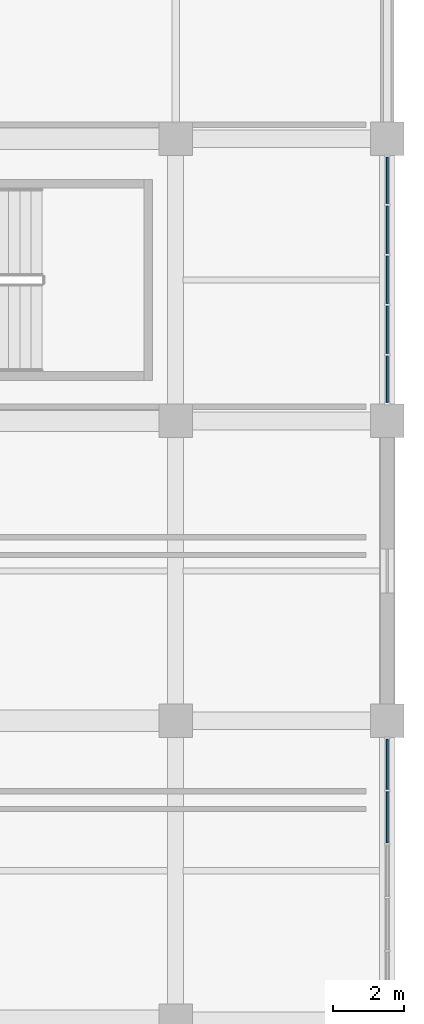
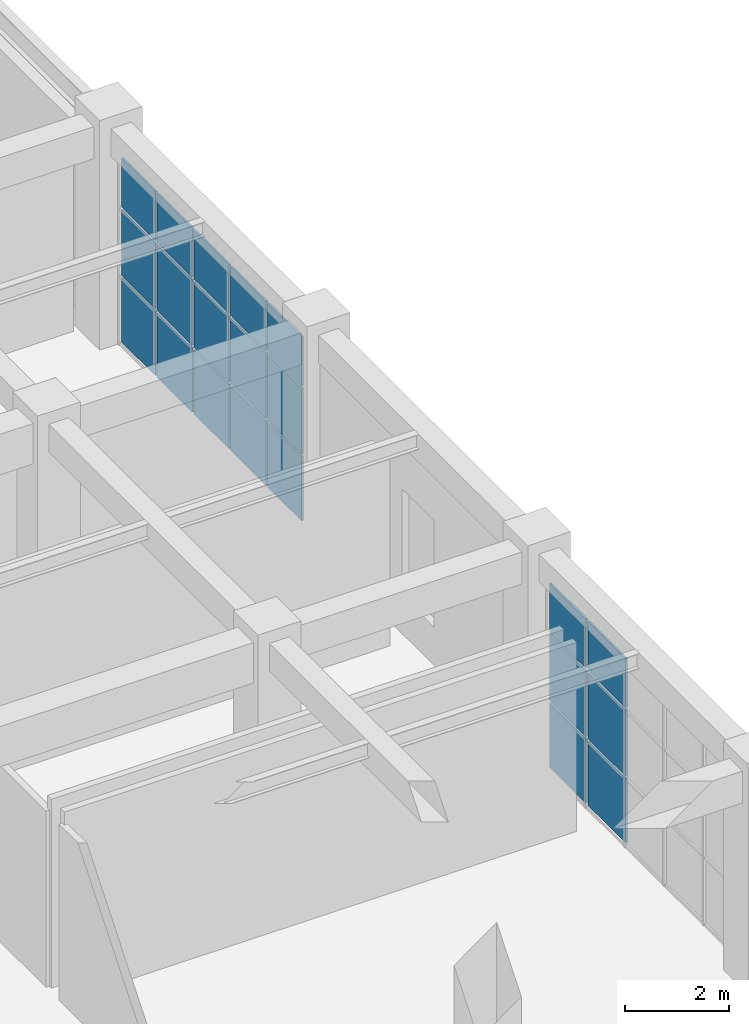
# One storey, part 69 of 120: 21 plates, 2 elements without a shape of their own.
"""IFC4 building model written with IfcOpenShell, lengths in metres."""

from ifc_helpers import new_model, si_unit, direction, frame, origin, origin_2d, place, context, subcontext, project, spatial, rectangle, extrude, material, layer, layer_set, type_object, element, aggregate, save


model = new_model("IFC4")

# Units and contexts
model_context = context("Model", 3, precision=1e-05, world=origin(), true_north=direction((0.0, 1.0)))
body_context = subcontext(model_context, "Body", "Model", "MODEL_VIEW")
ifc_project = project(units=[si_unit("LENGTHUNIT", "METRE"), si_unit("AREAUNIT", "SQUARE_METRE"), si_unit("VOLUMEUNIT", "CUBIC_METRE"), si_unit("PLANEANGLEUNIT", "RADIAN"), si_unit("MASSUNIT", "GRAM", prefix="KILO")], contexts=[model_context])

# Site, building, storey
site_placement = place(None, origin())
site = spatial("IfcSite", under=ifc_project, at=site_placement, CompositionType="ELEMENT")
building_placement = place(site_placement, origin())
building = spatial("IfcBuilding", under=site, at=building_placement, Name="Cuetzalor Civic Arena", CompositionType="ELEMENT")
storey_placement = place(building_placement, frame((0.0, 0.0, 6.0)))
storey = spatial("IfcBuildingStorey", under=building, at=storey_placement, Name="L01", CompositionType="ELEMENT", Elevation=6.0)

# Curtain wall, plates
ifc_material_1 = material(Name="Anodised dark bronze aluminium and low-E solar glass", Category="aluminium")
curtain_wall_type_1 = type_object("IfcCurtainWallType", Name="UnitisedCW_7600x4450", PredefinedType="USERDEFINED", material=ifc_material_1)
curtain_wall_1_placement = place(storey_placement, origin())
curtain_wall_1 = element("IfcCurtainWall", 1, at=curtain_wall_1_placement, inside=storey, type_object=curtain_wall_type_1, Name="V4E Suite Viewing Curtain Wall L01-138", ObjectType="UNITISED CURTAIN WALL", PredefinedType="USERDEFINED")
ifc_material_2 = material(Name="Acoustic laminated solar control glass", Category="glass")
ifc_layer = layer(ifc_material_2, 0.0439453125)
ifc_layer_set = layer_set([ifc_layer], Name="Acoustic laminated solar control glass")
plate_type = type_object("IfcPlateType", Name="AcousticTripleGlazedPanel_44", PredefinedType="CURTAIN_PANEL", material=ifc_layer_set)
plate_1_placement = place(storey_placement, frame((82.0, 7.26806640625, 0.06494140625), z_axis=(0.0, 0.0, 1.0), x_axis=(0.0, -1.0, 0.0)))
plate_1 = element("IfcPlate", 2, at=plate_1_placement, type_object=plate_type, Name="CW-38 panel 1.1", PredefinedType="CURTAIN_PANEL", context=body_context, shape_type="SweptSolid", body=[
    extrude(rectangle(XDim=1.419677734375, YDim=0.0439453125, at=origin_2d()), origin(), (0.0, 0.0, 1.0), 1.508544921875),
])
plate_2_placement = place(storey_placement, frame((82.0, 7.26806640625, 1.638427734375), z_axis=(0.0, 0.0, 1.0), x_axis=(0.0, -1.0, 0.0)))
plate_2 = element("IfcPlate", 3, at=plate_2_placement, type_object=plate_type, Name="CW-38 panel 1.2", PredefinedType="CURTAIN_PANEL", context=body_context, shape_type="SweptSolid", body=[
    extrude(rectangle(XDim=1.419677734375, YDim=0.0439453125, at=origin_2d()), origin(), (0.0, 0.0, 1.0), 1.5400390625),
])
plate_3_placement = place(storey_placement, frame((82.0, 7.26806640625, 3.24365234375), z_axis=(0.0, 0.0, 1.0), x_axis=(0.0, -1.0, 0.0)))
plate_3 = element("IfcPlate", 4, at=plate_3_placement, type_object=plate_type, Name="CW-38 panel 1.3", PredefinedType="CURTAIN_PANEL", context=body_context, shape_type="SweptSolid", body=[
    extrude(rectangle(XDim=1.419677734375, YDim=0.0439453125, at=origin_2d()), origin(), (0.0, 0.0, 1.0), 1.151611328125),
])
plate_4_placement = place(storey_placement, frame((82.0, 5.76708984375, 0.06494140625), z_axis=(0.0, 0.0, 1.0), x_axis=(0.0, -1.0, 0.0)))
plate_4 = element("IfcPlate", 5, at=plate_4_placement, type_object=plate_type, Name="CW-38 panel 2.1", PredefinedType="CURTAIN_PANEL", context=body_context, shape_type="SweptSolid", body=[
    extrude(rectangle(XDim=1.4521484375, YDim=0.0439453125, at=origin_2d()), origin(), (0.0, 0.0, 1.0), 1.508544921875),
])
plate_5_placement = place(storey_placement, frame((82.0, 5.76708984375, 1.638427734375), z_axis=(0.0, 0.0, 1.0), x_axis=(0.0, -1.0, 0.0)))
plate_5 = element("IfcPlate", 6, at=plate_5_placement, type_object=plate_type, Name="CW-38 panel 2.2", PredefinedType="CURTAIN_PANEL", context=body_context, shape_type="SweptSolid", body=[
    extrude(rectangle(XDim=1.4521484375, YDim=0.0439453125, at=origin_2d()), origin(), (0.0, 0.0, 1.0), 1.5400390625),
])
plate_6_placement = place(storey_placement, frame((82.0, 5.76708984375, 3.24365234375), z_axis=(0.0, 0.0, 1.0), x_axis=(0.0, -1.0, 0.0)))
plate_6 = element("IfcPlate", 7, at=plate_6_placement, type_object=plate_type, Name="CW-38 panel 2.3", PredefinedType="CURTAIN_PANEL", context=body_context, shape_type="SweptSolid", body=[
    extrude(rectangle(XDim=1.4521484375, YDim=0.0439453125, at=origin_2d()), origin(), (0.0, 0.0, 1.0), 1.151611328125),
])
aggregate(curtain_wall_1, [plate_1, plate_2, plate_3, plate_4, plate_5, plate_6])

ifc_material_3 = material(Name="Anodised dark bronze aluminium and low-E solar glass", Category="aluminium")
curtain_wall_type_2 = type_object("IfcCurtainWallType", Name="UnitisedCW_7100x4450", PredefinedType="USERDEFINED", material=ifc_material_3)
curtain_wall_2_placement = place(storey_placement, origin())
curtain_wall_2 = element("IfcCurtainWall", 8, at=curtain_wall_2_placement, inside=storey, type_object=curtain_wall_type_2, Name="V4E Suite Viewing Curtain Wall L01-139", ObjectType="UNITISED CURTAIN WALL", PredefinedType="USERDEFINED")
plate_7_placement = place(storey_placement, frame((82.0, 23.818115234375, 0.06494140625), z_axis=(0.0, 0.0, 1.0), x_axis=(0.0, -1.0, 0.0)))
plate_7 = element("IfcPlate", 9, at=plate_7_placement, type_object=plate_type, Name="CW-39 panel 1.1", PredefinedType="CURTAIN_PANEL", context=body_context, shape_type="SweptSolid", body=[
    extrude(rectangle(XDim=1.319580078125, YDim=0.0439453125, at=origin_2d()), origin(), (0.0, 0.0, 1.0), 1.508544921875),
])
plate_8_placement = place(storey_placement, frame((82.0, 23.818115234375, 1.638427734375), z_axis=(0.0, 0.0, 1.0), x_axis=(0.0, -1.0, 0.0)))
plate_8 = element("IfcPlate", 10, at=plate_8_placement, type_object=plate_type, Name="CW-39 panel 1.2", PredefinedType="CURTAIN_PANEL", context=body_context, shape_type="SweptSolid", body=[
    extrude(rectangle(XDim=1.319580078125, YDim=0.0439453125, at=origin_2d()), origin(), (0.0, 0.0, 1.0), 1.5400390625),
])
plate_9_placement = place(storey_placement, frame((82.0, 23.818115234375, 3.24365234375), z_axis=(0.0, 0.0, 1.0), x_axis=(0.0, -1.0, 0.0)))
plate_9 = element("IfcPlate", 11, at=plate_9_placement, type_object=plate_type, Name="CW-39 panel 1.3", PredefinedType="CURTAIN_PANEL", context=body_context, shape_type="SweptSolid", body=[
    extrude(rectangle(XDim=1.319580078125, YDim=0.0439453125, at=origin_2d()), origin(), (0.0, 0.0, 1.0), 1.151611328125),
])
plate_10_placement = place(storey_placement, frame((82.0, 22.417236328125, 0.06494140625), z_axis=(0.0, 0.0, 1.0), x_axis=(0.0, -1.0, 0.0)))
plate_10 = element("IfcPlate", 12, at=plate_10_placement, type_object=plate_type, Name="CW-39 panel 2.1", PredefinedType="CURTAIN_PANEL", context=body_context, shape_type="SweptSolid", body=[
    extrude(rectangle(XDim=1.352294921875, YDim=0.0439453125, at=origin_2d()), origin(), (0.0, 0.0, 1.0), 1.508544921875),
])
plate_11_placement = place(storey_placement, frame((82.0, 22.417236328125, 1.638427734375), z_axis=(0.0, 0.0, 1.0), x_axis=(0.0, -1.0, 0.0)))
plate_11 = element("IfcPlate", 13, at=plate_11_placement, type_object=plate_type, Name="CW-39 panel 2.2", PredefinedType="CURTAIN_PANEL", context=body_context, shape_type="SweptSolid", body=[
    extrude(rectangle(XDim=1.352294921875, YDim=0.0439453125, at=origin_2d()), origin(), (0.0, 0.0, 1.0), 1.5400390625),
])
plate_12_placement = place(storey_placement, frame((82.0, 22.417236328125, 3.24365234375), z_axis=(0.0, 0.0, 1.0), x_axis=(0.0, -1.0, 0.0)))
plate_12 = element("IfcPlate", 14, at=plate_12_placement, type_object=plate_type, Name="CW-39 panel 2.3", PredefinedType="CURTAIN_PANEL", context=body_context, shape_type="SweptSolid", body=[
    extrude(rectangle(XDim=1.352294921875, YDim=0.0439453125, at=origin_2d()), origin(), (0.0, 0.0, 1.0), 1.151611328125),
])
plate_13_placement = place(storey_placement, frame((82.0, 21.0, 0.06494140625), z_axis=(0.0, 0.0, 1.0), x_axis=(0.0, -1.0, 0.0)))
plate_13 = element("IfcPlate", 15, at=plate_13_placement, type_object=plate_type, Name="CW-39 panel 3.1", PredefinedType="CURTAIN_PANEL", context=body_context, shape_type="SweptSolid", body=[
    extrude(rectangle(XDim=1.352294921875, YDim=0.0439453125, at=origin_2d()), origin(), (0.0, 0.0, 1.0), 1.508544921875),
])
plate_14_placement = place(storey_placement, frame((82.0, 21.0, 1.638427734375), z_axis=(0.0, 0.0, 1.0), x_axis=(0.0, -1.0, 0.0)))
plate_14 = element("IfcPlate", 16, at=plate_14_placement, type_object=plate_type, Name="CW-39 panel 3.2", PredefinedType="CURTAIN_PANEL", context=body_context, shape_type="SweptSolid", body=[
    extrude(rectangle(XDim=1.352294921875, YDim=0.0439453125, at=origin_2d()), origin(), (0.0, 0.0, 1.0), 1.5400390625),
])
plate_15_placement = place(storey_placement, frame((82.0, 21.0, 3.24365234375), z_axis=(0.0, 0.0, 1.0), x_axis=(0.0, -1.0, 0.0)))
plate_15 = element("IfcPlate", 17, at=plate_15_placement, type_object=plate_type, Name="CW-39 panel 3.3", PredefinedType="CURTAIN_PANEL", context=body_context, shape_type="SweptSolid", body=[
    extrude(rectangle(XDim=1.352294921875, YDim=0.0439453125, at=origin_2d()), origin(), (0.0, 0.0, 1.0), 1.151611328125),
])
plate_16_placement = place(storey_placement, frame((82.0, 19.582763671875, 0.06494140625), z_axis=(0.0, 0.0, 1.0), x_axis=(0.0, -1.0, 0.0)))
plate_16 = element("IfcPlate", 18, at=plate_16_placement, type_object=plate_type, Name="CW-39 panel 4.1", PredefinedType="CURTAIN_PANEL", context=body_context, shape_type="SweptSolid", body=[
    extrude(rectangle(XDim=1.352294921875, YDim=0.0439453125, at=origin_2d()), origin(), (0.0, 0.0, 1.0), 1.508544921875),
])
plate_17_placement = place(storey_placement, frame((82.0, 19.582763671875, 1.638427734375), z_axis=(0.0, 0.0, 1.0), x_axis=(0.0, -1.0, 0.0)))
plate_17 = element("IfcPlate", 19, at=plate_17_placement, type_object=plate_type, Name="CW-39 panel 4.2", PredefinedType="CURTAIN_PANEL", context=body_context, shape_type="SweptSolid", body=[
    extrude(rectangle(XDim=1.352294921875, YDim=0.0439453125, at=origin_2d()), origin(), (0.0, 0.0, 1.0), 1.5400390625),
])
plate_18_placement = place(storey_placement, frame((82.0, 19.582763671875, 3.24365234375), z_axis=(0.0, 0.0, 1.0), x_axis=(0.0, -1.0, 0.0)))
plate_18 = element("IfcPlate", 20, at=plate_18_placement, type_object=plate_type, Name="CW-39 panel 4.3", PredefinedType="CURTAIN_PANEL", context=body_context, shape_type="SweptSolid", body=[
    extrude(rectangle(XDim=1.352294921875, YDim=0.0439453125, at=origin_2d()), origin(), (0.0, 0.0, 1.0), 1.151611328125),
])
plate_19_placement = place(storey_placement, frame((82.0, 18.181884765625, 0.06494140625), z_axis=(0.0, 0.0, 1.0), x_axis=(0.0, -1.0, 0.0)))
plate_19 = element("IfcPlate", 21, at=plate_19_placement, type_object=plate_type, Name="CW-39 panel 5.1", PredefinedType="CURTAIN_PANEL", context=body_context, shape_type="SweptSolid", body=[
    extrude(rectangle(XDim=1.319580078125, YDim=0.0439453125, at=origin_2d()), origin(), (0.0, 0.0, 1.0), 1.508544921875),
])
plate_20_placement = place(storey_placement, frame((82.0, 18.181884765625, 1.638427734375), z_axis=(0.0, 0.0, 1.0), x_axis=(0.0, -1.0, 0.0)))
plate_20 = element("IfcPlate", 22, at=plate_20_placement, type_object=plate_type, Name="CW-39 panel 5.2", PredefinedType="CURTAIN_PANEL", context=body_context, shape_type="SweptSolid", body=[
    extrude(rectangle(XDim=1.319580078125, YDim=0.0439453125, at=origin_2d()), origin(), (0.0, 0.0, 1.0), 1.5400390625),
])
plate_21_placement = place(storey_placement, frame((82.0, 18.181884765625, 3.24365234375), z_axis=(0.0, 0.0, 1.0), x_axis=(0.0, -1.0, 0.0)))
plate_21 = element("IfcPlate", 23, at=plate_21_placement, type_object=plate_type, Name="CW-39 panel 5.3", PredefinedType="CURTAIN_PANEL", context=body_context, shape_type="SweptSolid", body=[
    extrude(rectangle(XDim=1.319580078125, YDim=0.0439453125, at=origin_2d()), origin(), (0.0, 0.0, 1.0), 1.151611328125),
])
aggregate(curtain_wall_2, [plate_7, plate_8, plate_9, plate_10, plate_11, plate_12, plate_13, plate_14, plate_15, plate_16, plate_17, plate_18, plate_19, plate_20, plate_21])

save(model, "model.ifc")
